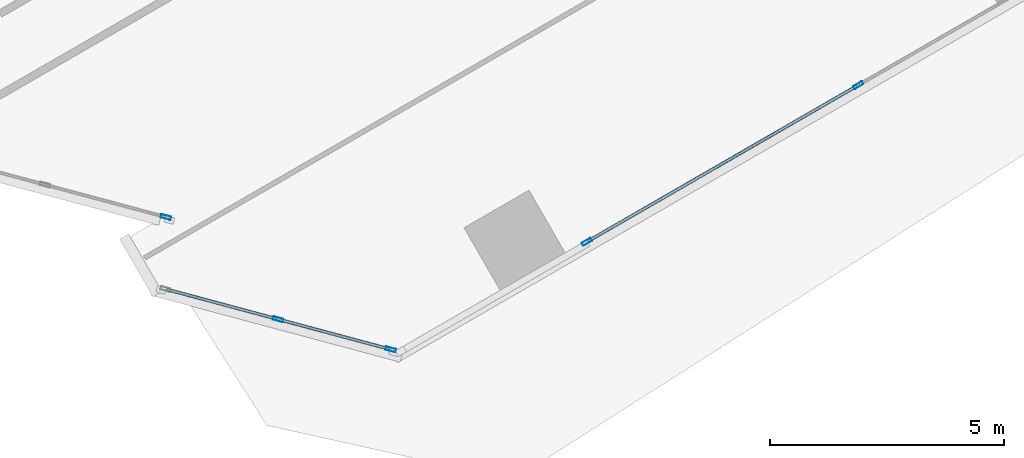
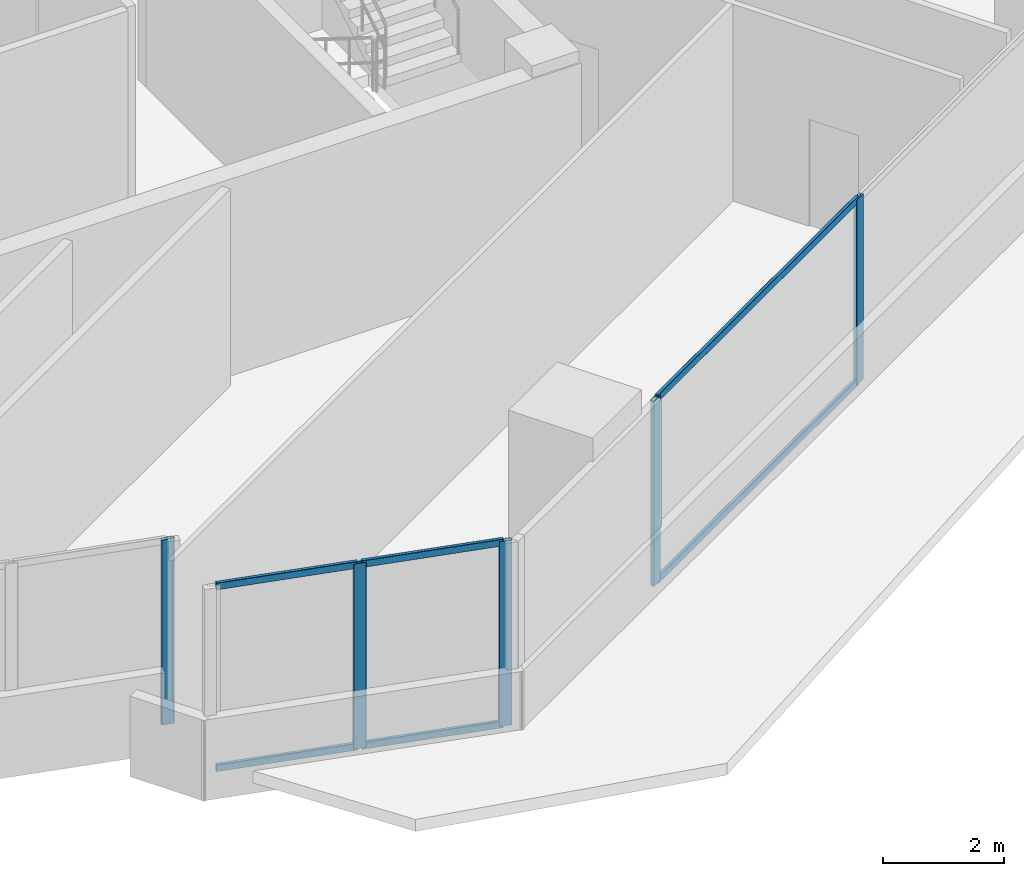
# One storey, part 3 of 16: 11 members, 3 elements without a shape of their own.
"""IFC4 building model written with IfcOpenShell, lengths in metres."""

import ifcopenshell
import ifcopenshell.guid

model = None  # the IFC model being written
_history = None  # IfcOwnerHistory: only IFC2X3 demands one
_inside = {}  # id of a spatial element -> (the spatial element, [elements in it])
_under = {}  # id of a project, library or spatial element -> (it, [spatial elements below it])
_declared = {}  # id of a project -> (the project, [libraries it declares])
_typed = {}  # id of a type object -> (the type object, [elements of that type])
_made_of = {}  # id of a material, layer set ... -> (it, [elements and type objects made of it])


def new_model(schema):
    """Start an empty IFC model of exactly this schema.

    Asked for "IFC4X3", IfcOpenShell would pick the latest addendum, in which some entities
    have other attributes; the version numbers below select the first issue.
    IFC2X3 requires an IfcOwnerHistory on every rooted entity: one is made here for all.
    """
    global model, _history
    if schema == "IFC4X3":
        model = ifcopenshell.file(schema_version=(4, 3, 0, 0))
    else:
        model = ifcopenshell.file(schema=schema)
    _inside.clear()
    _under.clear()
    _declared.clear()
    _typed.clear()
    _made_of.clear()
    _history = None
    if model.schema == "IFC2X3":
        org = make("IfcOrganization", Name="unknown")
        user = make(
            "IfcPersonAndOrganization",
            ThePerson=make("IfcPerson", FamilyName="unknown"),
            TheOrganization=org,
        )
        app = make(
            "IfcApplication",
            ApplicationDeveloper=org,
            Version="unknown",
            ApplicationFullName="unknown",
            ApplicationIdentifier="unknown",
        )
        _history = make(
            "IfcOwnerHistory",
            OwningUser=user,
            OwningApplication=app,
            ChangeAction="ADDED",
            CreationDate=0,
        )
    return model


def make(cls, **values):
    """One entity of the class cls with the attributes given. An attribute that is None is left unset."""
    return model.create_entity(
        cls, **{name: value for name, value in values.items() if value is not None}
    )


def rooted(cls, **values):
    """An entity with a GlobalId (a new one), such as an element, a storey or a relation."""
    return make(cls, GlobalId=ifcopenshell.guid.new(), OwnerHistory=_history, **values)


def si_unit(unit_type, name, prefix=None):
    """IfcSIUnit, for example si_unit("LENGTHUNIT", "METRE", prefix="MILLI")."""
    return make("IfcSIUnit", UnitType=unit_type, Prefix=prefix, Name=name)


def assignment(units):
    """IfcUnitAssignment: the units of a project."""
    return None if units is None else make("IfcUnitAssignment", Units=units)


def point(xyz):
    """IfcCartesianPoint."""
    return None if xyz is None else make("IfcCartesianPoint", Coordinates=xyz)


def direction(xyz):
    """IfcDirection."""
    return None if xyz is None else make("IfcDirection", DirectionRatios=xyz)


def frame(location, z_axis=None, x_axis=None):
    """IfcAxis2Placement3D, a coordinate frame: its origin and axes. An axis left out is left unset."""
    return make(
        "IfcAxis2Placement3D",
        Location=point(location),
        Axis=direction(z_axis),
        RefDirection=direction(x_axis),
    )


def frame_2d(location, x_axis=None):
    """IfcAxis2Placement2D, a coordinate frame in the plane: its origin and x axis."""
    return make(
        "IfcAxis2Placement2D", Location=point(location), RefDirection=direction(x_axis)
    )


def origin():
    """The frame at (0, 0, 0) with its axes left unset."""
    return frame((0.0, 0.0, 0.0))


def origin_2d():
    """The frame at (0, 0) in the plane with its x axis left unset."""
    return frame_2d((0.0, 0.0))


def place(relative_to, where):
    """IfcLocalPlacement: puts the frame where relative to a parent placement (None: the world)."""
    return make(
        "IfcLocalPlacement", PlacementRelTo=relative_to, RelativePlacement=where
    )


def context(
    kind, dimensions, precision=None, world=None, true_north=None, identifier=None
):
    """IfcGeometricRepresentationContext, for example the 3D "Model" context."""
    return make(
        "IfcGeometricRepresentationContext",
        ContextIdentifier=identifier,
        ContextType=kind,
        CoordinateSpaceDimension=dimensions,
        Precision=precision,
        WorldCoordinateSystem=world,
        TrueNorth=true_north,
    )


def subcontext(parent, identifier, kind, view, scale=None):
    """IfcGeometricRepresentationSubContext, for example "Body" below "Model"."""
    return make(
        "IfcGeometricRepresentationSubContext",
        ContextIdentifier=identifier,
        ContextType=kind,
        ParentContext=parent,
        TargetScale=scale,
        TargetView=view,
    )


def project(units=None, contexts=None):
    """IfcProject with its units and contexts."""
    return rooted(
        "IfcProject",
        Name="project",
        RepresentationContexts=contexts,
        UnitsInContext=assignment(units),
    )


def spatial(cls, under=None, at=None, **own):
    """A site, building, storey or space (cls), placed at a placement, below another one or the project."""
    s = rooted(cls, ObjectPlacement=at, **own)
    if under is not None:
        _under.setdefault(under.id(), (under, []))[1].append(s)
    return s


def profile(cls, at=None, kind="AREA", **sizes):
    """A parametric profile (cls). Its sizes go by their IFC names, for example OverallWidth=200.0."""
    return make(cls, ProfileType=kind, Position=at, **sizes)


def hollow_rectangle(**sizes):
    """IfcRectangleHollowProfileDef."""
    return profile("IfcRectangleHollowProfileDef", **sizes)


def extrude(swept, where, along, depth):
    """IfcExtrudedAreaSolid: the profile swept, set in the frame where, extruded along a direction by depth."""
    return make(
        "IfcExtrudedAreaSolid",
        SweptArea=swept,
        Position=where,
        ExtrudedDirection=direction(along),
        Depth=depth,
    )


def shape(context_of_items, identifier, shape_type, items):
    """IfcShapeRepresentation: the items that make up one representation, for example the "Body"."""
    return make(
        "IfcShapeRepresentation",
        ContextOfItems=context_of_items,
        RepresentationIdentifier=identifier,
        RepresentationType=shape_type,
        Items=items,
    )


def source(mapping_origin, context_of_items, identifier, shape_type, items):
    """IfcRepresentationMap: a shape defined once, which mapped items show again and again."""
    return make(
        "IfcRepresentationMap",
        MappingOrigin=mapping_origin,
        MappedRepresentation=shape(context_of_items, identifier, shape_type, items),
    )


def transform(
    local_origin,
    x_axis=None,
    y_axis=None,
    z_axis=None,
    scale=None,
    scale2=None,
    scale3=None,
    uniform=True,
):
    """IfcCartesianTransformationOperator3D, or its non-uniform kind. x_axis, y_axis, z_axis: its Axis1, 2, 3."""
    if uniform:
        return make(
            "IfcCartesianTransformationOperator3D",
            Axis1=direction(x_axis),
            Axis2=direction(y_axis),
            LocalOrigin=point(local_origin),
            Scale=scale,
            Axis3=direction(z_axis),
        )
    return make(
        "IfcCartesianTransformationOperator3DnonUniform",
        Axis1=direction(x_axis),
        Axis2=direction(y_axis),
        LocalOrigin=point(local_origin),
        Scale=scale,
        Axis3=direction(z_axis),
        Scale2=scale2,
        Scale3=scale3,
    )


def mapped(mapping_source, mapping_target):
    """IfcMappedItem: shows the shape of a source again, moved by a transform."""
    return make(
        "IfcMappedItem", MappingSource=mapping_source, MappingTarget=mapping_target
    )


def material(Name=None, Category=None):
    """IfcMaterial."""
    return make("IfcMaterial", Name=Name, Category=Category)


def material_profile(
    of_material, cross_section, Name=None, Category=None, Priority=None
):
    """IfcMaterialProfile: a cross section and its material."""
    return make(
        "IfcMaterialProfile",
        Name=Name,
        Material=of_material,
        Profile=cross_section,
        Priority=Priority,
        Category=Category,
    )


def profile_set(profiles, Name=None, composite=None):
    """IfcMaterialProfileSet."""
    return make(
        "IfcMaterialProfileSet",
        Name=Name,
        MaterialProfiles=profiles,
        CompositeProfile=composite,
    )


def made_of(thing, what):
    """Note that an element or type object is made of a material, layer set ...; save() writes the relation."""
    if what is not None:
        _made_of.setdefault(what.id(), (what, []))[1].append(thing)
    return thing


def type_object(cls, material=None, **own):
    """A type object (cls), such as IfcWallType, which elements share."""
    return made_of(rooted(cls, **own), material)


def element(
    cls,
    number,
    at=None,
    inside=None,
    cuts=None,
    type_object=None,
    material=None,
    context=None,
    identifier="Body",
    shape_type=None,
    held_by="IfcProductDefinitionShape",
    body=None,
    shapes=None,
    **own,
):
    """One element of the class cls, such as IfcWall. Its Tag is "e" and its number.

    at: its placement. inside: the storey or other place that contains it. cuts: it is an
    opening in that element (IfcRelVoidsElement). A single representation is given by context,
    identifier, shape_type and body (its items); several are given by shapes. held_by: the class
    of the entity that holds the representations. save() writes the other relations.
    """
    e = rooted(cls, Tag="e%d" % number, ObjectPlacement=at, **own)
    if body is not None:
        shapes = [shape(context, identifier, shape_type, body)]
    if shapes is not None:
        e.Representation = make(held_by, Representations=shapes)
    if inside is not None:
        _inside.setdefault(inside.id(), (inside, []))[1].append(e)
    if cuts is not None:
        rooted(
            "IfcRelVoidsElement", RelatingBuildingElement=cuts, RelatedOpeningElement=e
        )
    if type_object is not None:
        _typed.setdefault(type_object.id(), (type_object, []))[1].append(e)
    return made_of(e, material)


def aggregate(whole, parts):
    """IfcRelAggregates: a whole, such as a stair, and the parts it consists of."""
    return rooted("IfcRelAggregates", RelatingObject=whole, RelatedObjects=parts)


def save(model, path):
    """Write the relations noted so far, then the file.

    IfcRelAggregates (storeys below a building ...), IfcRelContainedInSpatialStructure (elements
    in a storey), IfcRelDefinesByType, IfcRelAssociatesMaterial and IfcRelDeclares: one each for
    every whole, place, type object, material and project.
    """
    for whole, parts in _under.values():
        aggregate(whole, parts)
    for where, things in _inside.values():
        rooted(
            "IfcRelContainedInSpatialStructure",
            RelatedElements=things,
            RelatingStructure=where,
        )
    for kind, things in _typed.values():
        rooted("IfcRelDefinesByType", RelatedObjects=things, RelatingType=kind)
    for what, things in _made_of.values():
        rooted("IfcRelAssociatesMaterial", RelatedObjects=things, RelatingMaterial=what)
    for by, libraries in _declared.values():
        rooted("IfcRelDeclares", RelatingContext=by, RelatedDefinitions=libraries)
    model.write(path)


model = new_model("IFC4")

# Units and contexts
model_context = context("Model", 3, precision=1e-05, world=origin(), true_north=direction((0.0, 1.0)))
body_context = subcontext(model_context, "Body", "Model", "MODEL_VIEW")
ifc_project = project(units=[si_unit("LENGTHUNIT", "METRE"), si_unit("AREAUNIT", "SQUARE_METRE"), si_unit("VOLUMEUNIT", "CUBIC_METRE"), si_unit("PLANEANGLEUNIT", "RADIAN"), si_unit("MASSUNIT", "GRAM", prefix="KILO")], contexts=[model_context])

# Site, building, storey
site_placement = place(None, origin())
site = spatial("IfcSite", under=ifc_project, at=site_placement, CompositionType="ELEMENT")
building_placement = place(site_placement, origin())
building = spatial("IfcBuilding", under=site, at=building_placement, Name="Torre Montelarca", CompositionType="ELEMENT")
storey_placement = place(building_placement, frame((0.0, 0.0, 319.800048828125)))
storey = spatial("IfcBuildingStorey", under=building, at=storey_placement, Name="L72", CompositionType="ELEMENT", Elevation=319.800048828125)

# Curtain wall, member
ifc_material_1 = material(Name="Insulated low-E laminated glass", Category="glass")
curtain_wall_type = type_object("IfcCurtainWallType", Name="CW-SYS-Z4", PredefinedType="USERDEFINED", material=ifc_material_1)
curtain_wall_1_placement = place(storey_placement, origin())
curtain_wall_1 = element("IfcCurtainWall", 1, at=curtain_wall_1_placement, inside=storey, type_object=curtain_wall_type, Name="L72 Curtain Wall Run CW-T3-L72-E02-B1", ObjectType="UNITISED GLAZING", PredefinedType="USERDEFINED")
ifc_material_2 = material(Name="Anodised aluminium AA 6063-T6", Category="aluminium")
ifc_material_profile_1 = material_profile(ifc_material_2, hollow_rectangle(XDim=0.074951171875, YDim=0.219970703125, WallThickness=0.0048828125, InnerFilletRadius=0.0048828125, OuterFilletRadius=0.010009765625, at=origin_2d()), Name="ALU75X220X5", Category="aluminium")
ifc_profile_set_1 = profile_set([ifc_material_profile_1], Name="Anodised aluminium AA 6063-T6")
member_type_1 = type_object("IfcMemberType", Name="CWM-ALU220", PredefinedType="MULLION", material=ifc_profile_set_1)
shared_shape_1 = source(origin(), body_context, "Body", "SweptSolid", [
    extrude(hollow_rectangle(XDim=0.074951171875, YDim=0.219970703125, WallThickness=0.0048828125, InnerFilletRadius=0.0048828125, OuterFilletRadius=0.010009765625, at=origin_2d()), origin(), (0.0, 0.0, 1.0), 3.719970703125),
])
member_1_placement = place(storey_placement, frame((14.37158203125, 15.962890625, 0.0), z_axis=(0.0, 0.0, 1.0), x_axis=(0.25881985568, 0.965925609095, 0.0)))
member_1 = element("IfcMember", 2, at=member_1_placement, type_object=member_type_1, Name="CW mullion 3", PredefinedType="MULLION", context=body_context, shape_type="MappedRepresentation", body=[
    mapped(shared_shape_1, transform((0.0, 0.0, 0.0), scale=1.0)),
])
aggregate(curtain_wall_1, [member_1])

# Curtain wall, members
curtain_wall_2_placement = place(storey_placement, origin())
curtain_wall_2 = element("IfcCurtainWall", 3, at=curtain_wall_2_placement, inside=storey, type_object=curtain_wall_type, Name="L72 Curtain Wall Run CW-T3-L72-E05-B1", ObjectType="UNITISED GLAZING", PredefinedType="USERDEFINED")
member_2_placement = place(storey_placement, frame((16.765380859375, 13.7841796875, 0.0), z_axis=(0.0, 0.0, 1.0), x_axis=(0.258815391137, 0.965926805359, 0.0)))
member_2 = element("IfcMember", 4, at=member_2_placement, type_object=member_type_1, Name="CW mullion 2", PredefinedType="MULLION", context=body_context, shape_type="MappedRepresentation", body=[
    mapped(shared_shape_1, transform((0.0, 0.0, 0.0), scale=1.0)),
])
member_3_placement = place(storey_placement, frame((19.16455078125, 13.141357421875, 0.0), z_axis=(0.0, 0.0, 1.0), x_axis=(0.258815391137, 0.965926805359, 0.0)))
member_3 = element("IfcMember", 5, at=member_3_placement, type_object=member_type_1, Name="CW mullion 3", PredefinedType="MULLION", context=body_context, shape_type="MappedRepresentation", body=[
    mapped(shared_shape_1, transform((0.0, 0.0, 0.0), scale=1.0)),
])

curtain_wall_3_placement = place(storey_placement, origin())
curtain_wall_3 = element("IfcCurtainWall", 6, at=curtain_wall_3_placement, inside=storey, type_object=curtain_wall_type, Name="L72 Curtain Wall Run CW-T3-L72-E06-B1", ObjectType="UNITISED GLAZING", PredefinedType="USERDEFINED")
member_4_placement = place(storey_placement, frame((23.34765625, 15.4345703125, 0.0), z_axis=(0.0, 0.0, 1.0), x_axis=(-0.499999401612, 0.866025749263, 0.0)))
member_4 = element("IfcMember", 7, at=member_4_placement, type_object=member_type_1, Name="CW mullion 1", PredefinedType="MULLION", context=body_context, shape_type="MappedRepresentation", body=[
    mapped(shared_shape_1, transform((0.0, 0.0, 0.0), scale=1.0)),
])
member_5_placement = place(storey_placement, frame((29.135009765625, 18.77587890625, 0.0), z_axis=(0.0, 0.0, 1.0), x_axis=(-0.499999401612, 0.866025749263, 0.0)))
member_5 = element("IfcMember", 8, at=member_5_placement, type_object=member_type_1, Name="CW mullion 2", PredefinedType="MULLION", context=body_context, shape_type="MappedRepresentation", body=[
    mapped(shared_shape_1, transform((0.0, 0.0, 0.0), scale=1.0)),
])

# Member
ifc_material_profile_2 = material_profile(ifc_material_2, hollow_rectangle(XDim=0.06494140625, YDim=0.139892578125, WallThickness=0.00390625, InnerFilletRadius=0.00390625, OuterFilletRadius=0.008056640625, at=origin_2d()), Name="ALU65X140X4", Category="aluminium")
ifc_profile_set_2 = profile_set([ifc_material_profile_2], Name="Anodised aluminium AA 6063-T6")
member_type_2 = type_object("IfcMemberType", Name="CWT-ALU140", PredefinedType="USERDEFINED", material=ifc_profile_set_2)
shared_shape_2 = source(origin(), body_context, "Body", "SweptSolid", [
    extrude(hollow_rectangle(XDim=0.06494140625, YDim=0.139892578125, WallThickness=0.00390625, InnerFilletRadius=0.00390625, OuterFilletRadius=0.008056640625, at=origin_2d()), origin(), (0.0, 0.0, 1.0), 2.408447265625),
])
member_6_placement = place(storey_placement, frame((14.40283203125, 14.417236328125, 0.032470703125), z_axis=(0.965933120699, -0.258791820458, 0.0), x_axis=(0.258791820458, 0.965933120699, 0.0)))
member_6 = element("IfcMember", 9, at=member_6_placement, type_object=member_type_2, Name="CW transom 1.1", ObjectType="TRANSOM", PredefinedType="USERDEFINED", context=body_context, shape_type="MappedRepresentation", body=[
    mapped(shared_shape_2, transform((0.0, 0.0, 0.0), scale=1.0)),
])

member_7_placement = place(storey_placement, frame((14.40283203125, 14.417236328125, 3.6875), z_axis=(0.965933120699, -0.258791820458, 0.0), x_axis=(0.258791820458, 0.965933120699, 0.0)))
member_7 = element("IfcMember", 10, at=member_7_placement, type_object=member_type_2, Name="CW transom 1.2", ObjectType="TRANSOM", PredefinedType="USERDEFINED", context=body_context, shape_type="MappedRepresentation", body=[
    mapped(shared_shape_2, transform((0.0, 0.0, 0.0), scale=1.0)),
])

member_8_placement = place(storey_placement, frame((16.8017578125, 13.7744140625, 0.032470703125), z_axis=(0.965933120699, -0.258791820458, 0.0), x_axis=(0.258791820458, 0.965933120699, 0.0)))
member_8 = element("IfcMember", 11, at=member_8_placement, type_object=member_type_2, Name="CW transom 2.1", ObjectType="TRANSOM", PredefinedType="USERDEFINED", context=body_context, shape_type="MappedRepresentation", body=[
    mapped(shared_shape_2, transform((0.0, 0.0, 0.0), scale=1.0)),
])

member_9_placement = place(storey_placement, frame((16.8017578125, 13.7744140625, 3.6875), z_axis=(0.965933120699, -0.258791820458, 0.0), x_axis=(0.258791820458, 0.965933120699, 0.0)))
member_9 = element("IfcMember", 12, at=member_9_placement, type_object=member_type_2, Name="CW transom 2.2", ObjectType="TRANSOM", PredefinedType="USERDEFINED", context=body_context, shape_type="MappedRepresentation", body=[
    mapped(shared_shape_2, transform((0.0, 0.0, 0.0), scale=1.0)),
])

aggregate(curtain_wall_2, [member_2, member_3, member_6, member_7, member_8, member_9])

shared_shape_3 = source(origin(), body_context, "Body", "SweptSolid", [
    extrude(hollow_rectangle(XDim=0.06494140625, YDim=0.139892578125, WallThickness=0.00390625, InnerFilletRadius=0.00390625, OuterFilletRadius=0.008056640625, at=origin_2d()), origin(), (0.0, 0.0, 1.0), 6.607421875),
])
member_10_placement = place(storey_placement, frame((23.38037109375, 15.453369140625, 0.032470703125), z_axis=(0.866024373554, 0.500001784407, 0.0), x_axis=(-0.500001784407, 0.866024373554, 0.0)))
member_10 = element("IfcMember", 13, at=member_10_placement, type_object=member_type_2, Name="CW transom 1.1", ObjectType="TRANSOM", PredefinedType="USERDEFINED", context=body_context, shape_type="MappedRepresentation", body=[
    mapped(shared_shape_3, transform((0.0, 0.0, 0.0), scale=1.0)),
])

member_11_placement = place(storey_placement, frame((23.38037109375, 15.453369140625, 3.6875), z_axis=(0.866024373554, 0.500001784407, 0.0), x_axis=(-0.500001784407, 0.866024373554, 0.0)))
member_11 = element("IfcMember", 14, at=member_11_placement, type_object=member_type_2, Name="CW transom 1.2", ObjectType="TRANSOM", PredefinedType="USERDEFINED", context=body_context, shape_type="MappedRepresentation", body=[
    mapped(shared_shape_3, transform((0.0, 0.0, 0.0), scale=1.0)),
])

aggregate(curtain_wall_3, [member_4, member_5, member_10, member_11])

save(model, "model.ifc")
